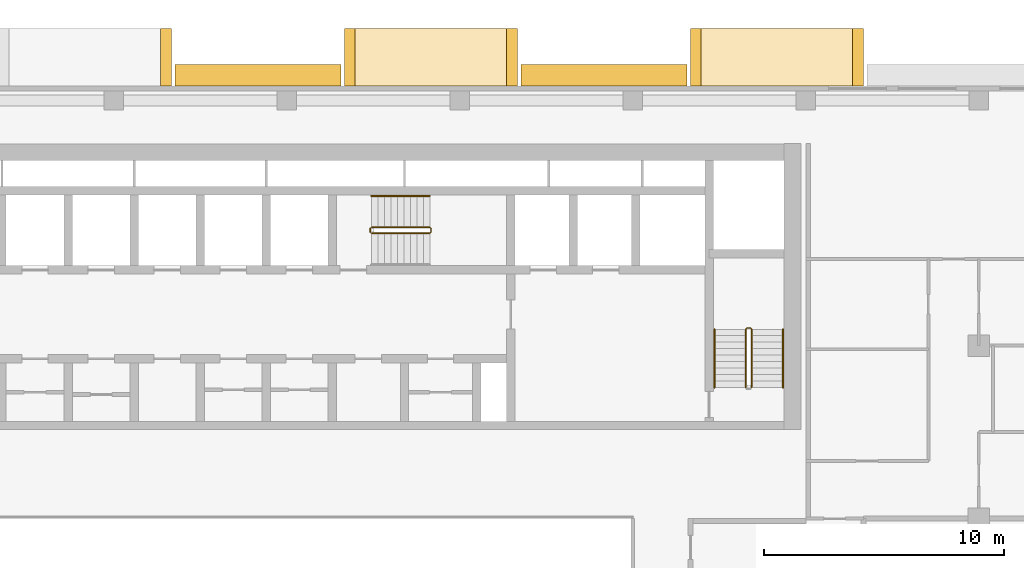
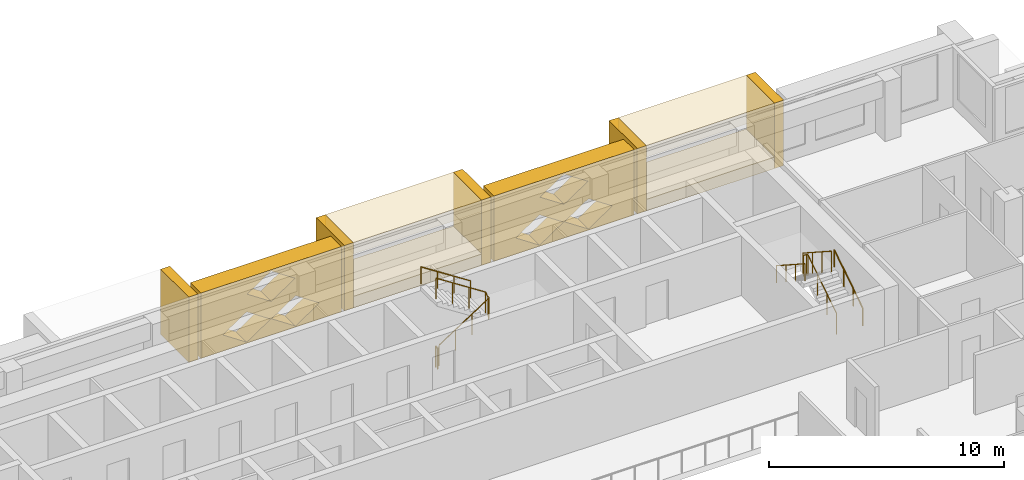
# One storey, part 19 of 20: 11 coverings, 6 railings.
"""IFC4 building model written with IfcOpenShell, lengths in metres."""

from ifc_helpers import new_model, si_unit, direction, frame, origin, origin_2d, place, context, subcontext, project, spatial, polyline, circle, outline, extrude, material, type_object, element, save


model = new_model("IFC4")

# Units and contexts
model_context = context("Model", 3, precision=1e-05, world=origin(), true_north=direction((0.0, 1.0)))
body_context = subcontext(model_context, "Body", "Model", "MODEL_VIEW")
ifc_project = project(units=[si_unit("LENGTHUNIT", "METRE"), si_unit("AREAUNIT", "SQUARE_METRE"), si_unit("VOLUMEUNIT", "CUBIC_METRE"), si_unit("PLANEANGLEUNIT", "RADIAN"), si_unit("MASSUNIT", "GRAM", prefix="KILO")], contexts=[model_context])

# Site, building, storey
site_placement = place(None, origin())
site = spatial("IfcSite", under=ifc_project, at=site_placement, CompositionType="ELEMENT")
building_placement = place(site_placement, origin())
building = spatial("IfcBuilding", under=site, at=building_placement, Name="Saffron Iwan Residences", CompositionType="ELEMENT")
storey_placement = place(building_placement, frame((0.0, 0.0, 202.5)))
storey = spatial("IfcBuildingStorey", under=building, at=storey_placement, Name="L54", CompositionType="ELEMENT", Elevation=202.5)

# Coverings
ifc_material_1 = material(Name="Precast concrete C40/50", Category="concrete")
covering_type_1 = type_object("IfcCoveringType", Name="OUTER SKIN LATTICE SCREEN", PredefinedType="CLADDING", material=ifc_material_1)
for number, where, z_axis, x_axis, name in (
    (1, (67.050048828125, 80.39990234375, -0.300048828125), (0.0, 1.0, 0.0), (-1.0, 0.0, 0.0), "OUTER SKIN lattice screen L54 F5.1"),
    (2, (52.64990234375, 80.39990234375, -0.300048828125), (0.0, 1.0, 0.0), (-1.0, 0.0, 0.0), "OUTER SKIN lattice screen L54 F5.2"),
):
    element("IfcCovering", number, at=place(storey_placement, frame(where, z_axis=z_axis, x_axis=x_axis)), inside=storey, type_object=covering_type_1, Name=name, PredefinedType="CLADDING", context=body_context, shape_type="SweptSolid", body=[
        extrude(outline(polyline([(0.0, 0.0), (6.89990234375, 0.0), (6.89990234375, 3.39990234375), (0.0, 3.39990234375), (0.0, 0.0)]), holes=[polyline([(1.070068359375, 0.85009765625), (2.25, 0.06005859375), (3.429931640625, 0.85009765625), (2.25, 1.639892578125), (1.070068359375, 0.85009765625)]), polyline([(3.469970703125, 0.85009765625), (4.64990234375, 0.06005859375), (5.830078125, 0.85009765625), (4.64990234375, 1.639892578125), (3.469970703125, 0.85009765625)]), polyline([(2.27001953125, 2.550048828125), (3.449951171875, 1.760009765625), (4.6298828125, 2.550048828125), (3.449951171875, 3.340087890625), (2.27001953125, 2.550048828125)])]), origin(), (0.0, 0.0, 1.0), 0.900146484375),
    ])

# Railings
ifc_material_2 = material(Name="Steel S355", Category="steel")
railing_type_1 = type_object("IfcRailingType", Name="Stair guard 1100", PredefinedType="GUARDRAIL", material=ifc_material_2)
railing_1_placement = place(storey_placement, frame((53.925048828125, 74.27490234375, 0.175048828125)))
element("IfcRailing", 3, at=railing_1_placement, inside=storey, type_object=railing_type_1, Name="L54 ST-C stair guard 1", PredefinedType="GUARDRAIL", context=body_context, shape_type="SweptSolid", body=[
    extrude(circle(Radius=0.02392578125, at=origin_2d()), frame((0.0, 0.0, 1.076171875), z_axis=(0.839153699163, 0.0, 0.543894354798), x_axis=(0.0, 1.0, 0.0)), (0.0, 0.0, 1.0), 2.895751953125),
    extrude(circle(Radius=0.02392578125, at=origin_2d()), frame((2.429931640625, 0.0, 2.65087890625), z_axis=(0.707106781187, 0.707106781187, 0.0), x_axis=(-0.707106781187, 0.707106781187, 0.0)), (0.0, 0.0, 1.0), 0.07080078125),
    extrude(circle(Radius=0.02392578125, at=origin_2d()), frame((2.47998046875, 0.050048828125, 2.65087890625), z_axis=(0.0, 1.0, 0.0), x_axis=(-1.0, 0.0, 0.0)), (0.0, 0.0, 1.0), 0.150146484375),
    extrude(circle(Radius=0.02392578125, at=origin_2d()), frame((2.47998046875, 0.2001953125, 2.65087890625), z_axis=(-0.265155923931, 0.263862480399, 0.927399011991), x_axis=(-0.705375805398, -0.708833529934, 0.0)), (0.0, 0.0, 1.0), 0.188720703125),
    extrude(circle(Radius=0.02392578125, at=origin_2d()), frame((2.429931640625, 0.25, 2.826171875), z_axis=(-0.839153699163, 0.0, 0.543894354798), x_axis=(0.0, -1.0, 0.0)), (0.0, 0.0, 1.0), 2.895751953125),
    extrude(circle(Radius=0.02099609375, at=origin_2d()), origin(), (0.0, 0.0, 1.0), 1.052001953125),
    extrude(circle(Radius=0.02099609375, at=origin_2d()), frame((0.81005859375, 0.0, 0.52490234375)), (0.0, 0.0, 1.0), 1.052001953125),
    extrude(circle(Radius=0.02099609375, at=origin_2d()), frame((1.619873046875, 0.0, 1.050048828125)), (0.0, 0.0, 1.0), 1.052001953125),
    extrude(circle(Radius=0.02099609375, at=origin_2d()), frame((2.429931640625, 0.0, 1.574951171875)), (0.0, 0.0, 1.0), 1.052001953125),
    extrude(circle(Radius=0.02099609375, at=origin_2d()), frame((2.47998046875, 0.050048828125, 1.574951171875)), (0.0, 0.0, 1.0), 1.052001953125),
    extrude(circle(Radius=0.02099609375, at=origin_2d()), frame((2.47998046875, 0.2001953125, 1.574951171875)), (0.0, 0.0, 1.0), 1.052001953125),
    extrude(circle(Radius=0.02099609375, at=origin_2d()), frame((2.429931640625, 0.25, 1.75)), (0.0, 0.0, 1.0), 1.052001953125),
    extrude(circle(Radius=0.02099609375, at=origin_2d()), frame((1.619873046875, 0.25, 2.27490234375)), (0.0, 0.0, 1.0), 1.052001953125),
    extrude(circle(Radius=0.02099609375, at=origin_2d()), frame((0.81005859375, 0.25, 2.800048828125)), (0.0, 0.0, 1.0), 1.052001953125),
    extrude(circle(Radius=0.02099609375, at=origin_2d()), frame((0.0, 0.25, 3.324951171875)), (0.0, 0.0, 1.0), 1.052001953125),
])
railing_2_placement = place(storey_placement, frame((53.875, 74.324951171875, 0.0)))
element("IfcRailing", 4, at=railing_2_placement, inside=storey, type_object=railing_type_1, Name="L54 ST-C stair guard 2", PredefinedType="GUARDRAIL", context=body_context, shape_type="SweptSolid", body=[
    extrude(circle(Radius=0.02392578125, at=origin_2d()), frame((0.0, 0.0, 1.076171875), z_axis=(0.0, 1.0, 0.0), x_axis=(-1.0, 0.0, 0.0)), (0.0, 0.0, 1.0), 0.150146484375),
    extrude(circle(Radius=0.02099609375, at=origin_2d()), origin(), (0.0, 0.0, 1.0), 1.052001953125),
    extrude(circle(Radius=0.02099609375, at=origin_2d()), frame((0.0, 0.150146484375, 0.0)), (0.0, 0.0, 1.0), 1.052001953125),
])
railing_3_placement = place(storey_placement, frame((69.75, 67.85009765625, 0.175048828125)))
element("IfcRailing", 5, at=railing_3_placement, inside=storey, type_object=railing_type_1, Name="L54 ST-E stair guard 1", PredefinedType="GUARDRAIL", context=body_context, shape_type="SweptSolid", body=[
    extrude(circle(Radius=0.02392578125, at=origin_2d()), frame((0.0, 0.0, 1.076171875), z_axis=(0.0, 0.839153699163, 0.543894354798), x_axis=(-1.0, 0.0, 0.0)), (0.0, 0.0, 1.0), 2.895751953125),
    extrude(circle(Radius=0.02392578125, at=origin_2d()), frame((0.0, 2.429931640625, 2.65087890625), z_axis=(-0.707106781187, 0.707106781187, 0.0), x_axis=(-0.707106781187, -0.707106781187, 0.0)), (0.0, 0.0, 1.0), 0.07080078125),
    extrude(circle(Radius=0.02392578125, at=origin_2d()), frame((-0.050048828125, 2.47998046875, 2.65087890625), z_axis=(-1.0, 0.0, 0.0), x_axis=(0.0, -1.0, 0.0)), (0.0, 0.0, 1.0), 0.14990234375),
    extrude(circle(Radius=0.02392578125, at=origin_2d()), frame((-0.199951171875, 2.47998046875, 2.65087890625), z_axis=(-0.265065253269, -0.265065253269, 0.927081885822), x_axis=(0.707106781187, -0.707106781187, 0.0)), (0.0, 0.0, 1.0), 0.188720703125),
    extrude(circle(Radius=0.02392578125, at=origin_2d()), frame((-0.25, 2.429931640625, 2.826171875), z_axis=(0.0, -0.839153699163, 0.543894354798), x_axis=(1.0, 0.0, 0.0)), (0.0, 0.0, 1.0), 2.895751953125),
    extrude(circle(Radius=0.02099609375, at=origin_2d()), origin(), (0.0, 0.0, 1.0), 1.052001953125),
    extrude(circle(Radius=0.02099609375, at=origin_2d()), frame((0.0, 0.81005859375, 0.52490234375)), (0.0, 0.0, 1.0), 1.052001953125),
    extrude(circle(Radius=0.02099609375, at=origin_2d()), frame((0.0, 1.619873046875, 1.050048828125)), (0.0, 0.0, 1.0), 1.052001953125),
    extrude(circle(Radius=0.02099609375, at=origin_2d()), frame((0.0, 2.429931640625, 1.574951171875)), (0.0, 0.0, 1.0), 1.052001953125),
    extrude(circle(Radius=0.02099609375, at=origin_2d()), frame((-0.050048828125, 2.47998046875, 1.574951171875)), (0.0, 0.0, 1.0), 1.052001953125),
    extrude(circle(Radius=0.02099609375, at=origin_2d()), frame((-0.199951171875, 2.47998046875, 1.574951171875)), (0.0, 0.0, 1.0), 1.052001953125),
    extrude(circle(Radius=0.02099609375, at=origin_2d()), frame((-0.25, 2.429931640625, 1.75)), (0.0, 0.0, 1.0), 1.052001953125),
    extrude(circle(Radius=0.02099609375, at=origin_2d()), frame((-0.25, 1.619873046875, 2.27490234375)), (0.0, 0.0, 1.0), 1.052001953125),
    extrude(circle(Radius=0.02099609375, at=origin_2d()), frame((-0.25, 0.81005859375, 2.800048828125)), (0.0, 0.0, 1.0), 1.052001953125),
    extrude(circle(Radius=0.02099609375, at=origin_2d()), frame((-0.25, 0.0, 3.324951171875)), (0.0, 0.0, 1.0), 1.052001953125),
])
ifc_material_3 = material(Name="Stainless steel 316", Category="steel")
railing_type_2 = type_object("IfcRailingType", Name="Stair handrail 900", PredefinedType="HANDRAIL", material=ifc_material_3)
railing_4_placement = place(storey_placement, frame((56.35498046875, 75.824951171875, 1.925048828125)))
element("IfcRailing", 6, at=railing_4_placement, inside=storey, type_object=railing_type_2, Name="L54 ST-C stair handrail 2", PredefinedType="HANDRAIL", context=body_context, shape_type="SweptSolid", body=[
    extrude(circle(Radius=0.02392578125, at=origin_2d()), frame((0.0, 0.0, 0.8759765625), z_axis=(-0.839153699163, 0.0, 0.543894354798), x_axis=(0.0, -1.0, 0.0)), (0.0, 0.0, 1.0), 2.895751953125),
    extrude(circle(Radius=0.02099609375, at=origin_2d()), origin(), (0.0, 0.0, 1.0), 0.851806640625),
    extrude(circle(Radius=0.02099609375, at=origin_2d()), frame((-0.81005859375, 0.0, 0.52490234375)), (0.0, 0.0, 1.0), 0.851806640625),
    extrude(circle(Radius=0.02099609375, at=origin_2d()), frame((-1.619873046875, 0.0, 1.050048828125)), (0.0, 0.0, 1.0), 0.851806640625),
    extrude(circle(Radius=0.02099609375, at=origin_2d()), frame((-2.429931640625, 0.0, 1.574951171875)), (0.0, 0.0, 1.0), 0.851806640625),
])
railing_5_placement = place(storey_placement, frame((71.050048828125, 67.85009765625, 0.175048828125)))
element("IfcRailing", 7, at=railing_5_placement, inside=storey, type_object=railing_type_2, Name="L54 ST-E stair handrail 1", PredefinedType="HANDRAIL", context=body_context, shape_type="SweptSolid", body=[
    extrude(circle(Radius=0.02392578125, at=origin_2d()), frame((0.0, 0.0, 0.8759765625), z_axis=(0.0, 0.839153699163, 0.543894354798), x_axis=(-1.0, 0.0, 0.0)), (0.0, 0.0, 1.0), 2.895751953125),
    extrude(circle(Radius=0.02099609375, at=origin_2d()), origin(), (0.0, 0.0, 1.0), 0.851806640625),
    extrude(circle(Radius=0.02099609375, at=origin_2d()), frame((0.0, 0.81005859375, 0.52490234375)), (0.0, 0.0, 1.0), 0.851806640625),
    extrude(circle(Radius=0.02099609375, at=origin_2d()), frame((0.0, 1.619873046875, 1.050048828125)), (0.0, 0.0, 1.0), 0.851806640625),
    extrude(circle(Radius=0.02099609375, at=origin_2d()), frame((0.0, 2.429931640625, 1.574951171875)), (0.0, 0.0, 1.0), 0.851806640625),
])
railing_6_placement = place(storey_placement, frame((68.199951171875, 70.280029296875, 1.925048828125)))
element("IfcRailing", 8, at=railing_6_placement, inside=storey, type_object=railing_type_2, Name="L54 ST-E stair handrail 2", PredefinedType="HANDRAIL", context=body_context, shape_type="SweptSolid", body=[
    extrude(circle(Radius=0.02392578125, at=origin_2d()), frame((0.0, 0.0, 0.8759765625), z_axis=(0.0, -0.839153699163, 0.543894354798), x_axis=(1.0, 0.0, 0.0)), (0.0, 0.0, 1.0), 2.895751953125),
    extrude(circle(Radius=0.02099609375, at=origin_2d()), origin(), (0.0, 0.0, 1.0), 0.851806640625),
    extrude(circle(Radius=0.02099609375, at=origin_2d()), frame((0.0, -0.81005859375, 0.52490234375)), (0.0, 0.0, 1.0), 0.851806640625),
    extrude(circle(Radius=0.02099609375, at=origin_2d()), frame((0.0, -1.619873046875, 1.050048828125)), (0.0, 0.0, 1.0), 0.851806640625),
    extrude(circle(Radius=0.02099609375, at=origin_2d()), frame((0.0, -2.429931640625, 1.574951171875)), (0.0, 0.0, 1.0), 0.851806640625),
])

# Coverings
ifc_material_4 = material(Name="Precast concrete C40/50 white painted", Category="concrete")
covering_type_2 = type_object("IfcCoveringType", Name="WHITE SUN FRAME PRECAST", PredefinedType="CLADDING", material=ifc_material_4)
for number, where, z_axis, x_axis, name in (
    (9, (74.39990234375, 80.39990234375, -0.300048828125), (0.0, 1.0, 0.0), (-1.0, 0.0, 0.0), "Sun frame L54 F5 8.4a"),
    (10, (67.64990234375, 80.39990234375, -0.300048828125), (0.0, 1.0, 0.0), (-1.0, 0.0, 0.0), "Sun frame L54 F5 8.4b"),
):
    element("IfcCovering", number, at=place(storey_placement, frame(where, z_axis=z_axis, x_axis=x_axis)), inside=storey, type_object=covering_type_2, Name=name, PredefinedType="CLADDING", context=body_context, shape_type="SweptSolid", body=[
        extrude(outline(polyline([(0.0, 0.0), (0.449951171875, 0.0), (0.449951171875, 3.39990234375), (0.0, 3.39990234375), (0.0, 0.0)])), origin(), (0.0, 0.0, 1.0), 2.400146484375),
    ])
for number, where, z_axis, x_axis, name in (
    (11, (73.949951171875, 80.39990234375, 2.5), (0.0, 1.0, 0.0), (-1.0, 0.0, 0.0), "Sun frame L54 F5 8.4h"),
    (12, (73.949951171875, 80.39990234375, -0.300048828125), (0.0, 1.0, 0.0), (-1.0, 0.0, 0.0), "Sun frame L54 F5 8.4s"),
):
    element("IfcCovering", number, at=place(storey_placement, frame(where, z_axis=z_axis, x_axis=x_axis)), inside=storey, type_object=covering_type_2, Name=name, PredefinedType="CLADDING", context=body_context, shape_type="SweptSolid", body=[
        extrude(outline(polyline([(0.0, 0.0), (6.300048828125, 0.0), (6.300048828125, 0.60009765625), (0.0, 0.60009765625), (0.0, 0.0)])), origin(), (0.0, 0.0, 1.0), 2.400146484375),
    ])
for number, where, z_axis, x_axis, name in (
    (13, (60.0, 80.39990234375, -0.300048828125), (0.0, 1.0, 0.0), (-1.0, 0.0, 0.0), "Sun frame L54 F5 22.8a"),
    (14, (53.25, 80.39990234375, -0.300048828125), (0.0, 1.0, 0.0), (-1.0, 0.0, 0.0), "Sun frame L54 F5 22.8b"),
):
    element("IfcCovering", number, at=place(storey_placement, frame(where, z_axis=z_axis, x_axis=x_axis)), inside=storey, type_object=covering_type_2, Name=name, PredefinedType="CLADDING", context=body_context, shape_type="SweptSolid", body=[
        extrude(outline(polyline([(0.0, 0.0), (0.449951171875, 0.0), (0.449951171875, 3.39990234375), (0.0, 3.39990234375), (0.0, 0.0)])), origin(), (0.0, 0.0, 1.0), 2.400146484375),
    ])
for number, where, z_axis, x_axis, name in (
    (15, (59.550048828125, 80.39990234375, 2.5), (0.0, 1.0, 0.0), (-1.0, 0.0, 0.0), "Sun frame L54 F5 22.8h"),
    (16, (59.550048828125, 80.39990234375, -0.300048828125), (0.0, 1.0, 0.0), (-1.0, 0.0, 0.0), "Sun frame L54 F5 22.8s"),
):
    element("IfcCovering", number, at=place(storey_placement, frame(where, z_axis=z_axis, x_axis=x_axis)), inside=storey, type_object=covering_type_2, Name=name, PredefinedType="CLADDING", context=body_context, shape_type="SweptSolid", body=[
        extrude(outline(polyline([(0.0, 0.0), (6.300048828125, 0.0), (6.300048828125, 0.60009765625), (0.0, 0.60009765625), (0.0, 0.0)])), origin(), (0.0, 0.0, 1.0), 2.400146484375),
    ])
covering_placement = place(storey_placement, frame((45.60009765625, 80.39990234375, -0.300048828125), z_axis=(0.0, 1.0, 0.0), x_axis=(-1.0, 0.0, 0.0)))
element("IfcCovering", 17, at=covering_placement, inside=storey, type_object=covering_type_2, Name="Sun frame L54 F5 37.2a", PredefinedType="CLADDING", context=body_context, shape_type="SweptSolid", body=[
    extrude(outline(polyline([(0.0, 0.0), (0.449951171875, 0.0), (0.449951171875, 3.39990234375), (0.0, 3.39990234375), (0.0, 0.0)])), origin(), (0.0, 0.0, 1.0), 2.400146484375),
])

save(model, "model.ifc")
